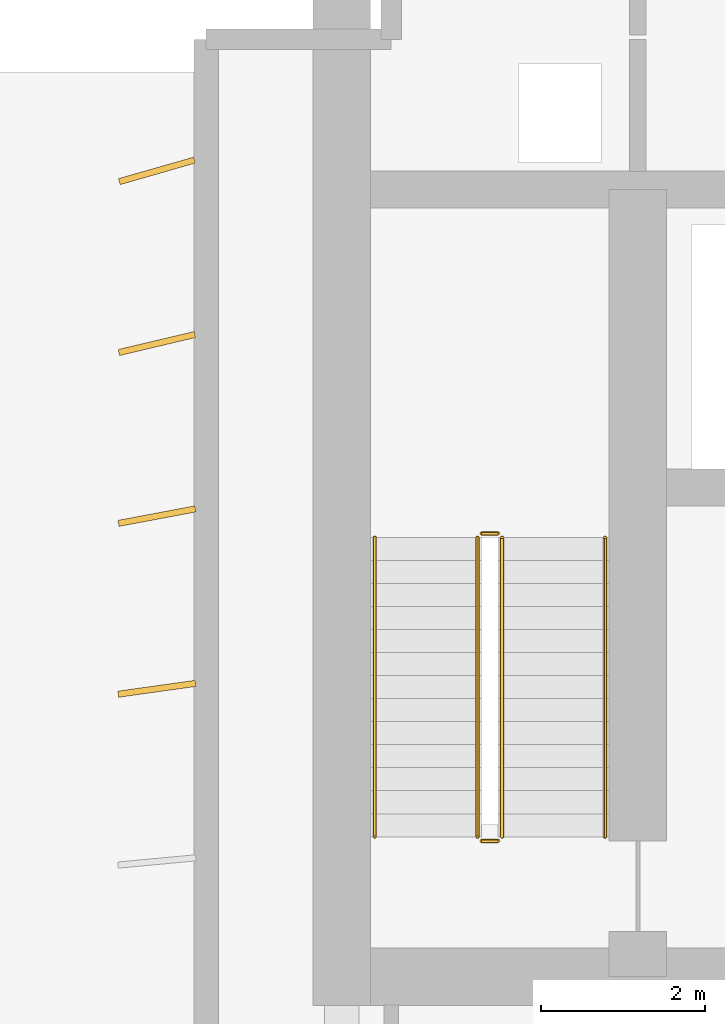
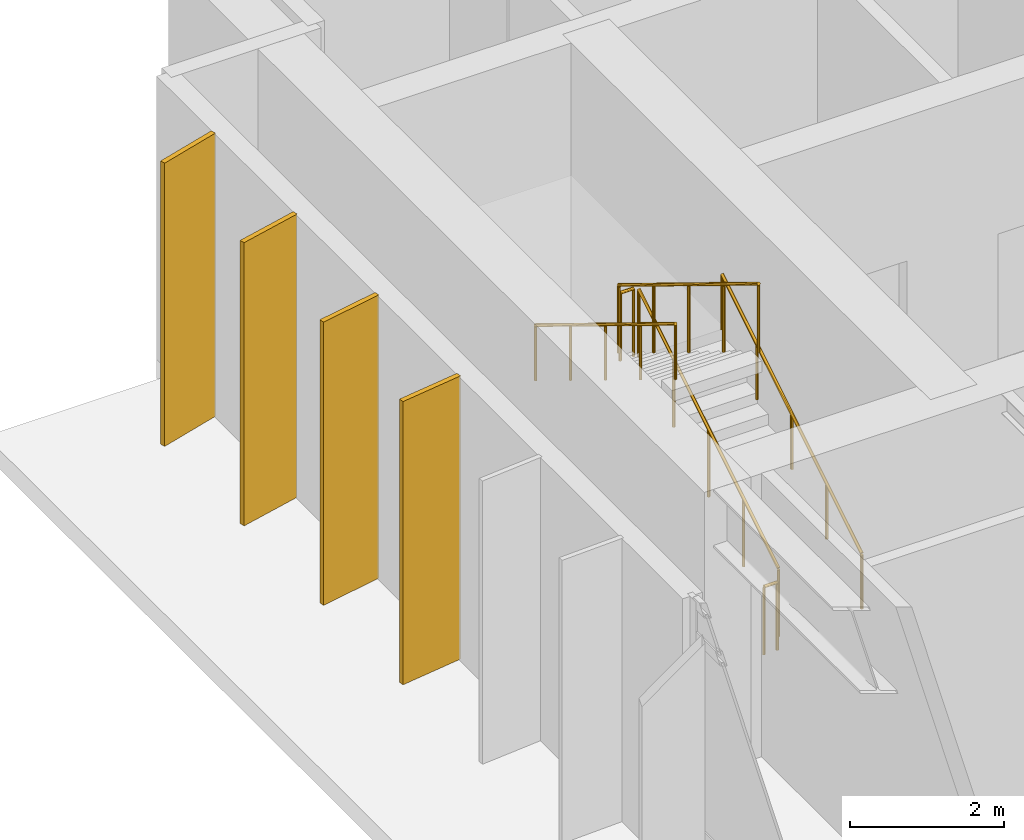
# One storey, part 9 of 10: 6 railings, 4 shading devices.
"""IFC4 building model written with IfcOpenShell, lengths in metres."""

from ifc_helpers import new_model, si_unit, direction, frame, origin, origin_2d, place, context, subcontext, project, spatial, rectangle, circle, extrude, material, material_profile, profile_set, type_object, element, save


model = new_model("IFC4")

# Units and contexts
model_context = context("Model", 3, precision=1e-05, world=origin(), true_north=direction((0.0, 1.0)))
body_context = subcontext(model_context, "Body", "Model", "MODEL_VIEW")
ifc_project = project(units=[si_unit("LENGTHUNIT", "METRE"), si_unit("AREAUNIT", "SQUARE_METRE"), si_unit("VOLUMEUNIT", "CUBIC_METRE"), si_unit("PLANEANGLEUNIT", "RADIAN"), si_unit("MASSUNIT", "GRAM", prefix="KILO")], contexts=[model_context])

# Site, building, storey
site_placement = place(None, origin())
site = spatial("IfcSite", under=ifc_project, at=site_placement, CompositionType="ELEMENT")
building_placement = place(site_placement, origin())
building = spatial("IfcBuilding", under=site, at=building_placement, Name="Caelmar Bay Residences", CompositionType="ELEMENT")
storey_placement = place(building_placement, frame((0.0, 0.0, 295.60009765625)))
storey = spatial("IfcBuildingStorey", under=building, at=storey_placement, Name="L81", CompositionType="ELEMENT", Elevation=295.60009765625)

# Railings
ifc_material_1 = material(Name="Painted galvanized steel stair guard 1100 mm", Category="steel")
railing_type_1 = type_object("IfcRailingType", Name="RL-GRD-1100", PredefinedType="GUARDRAIL", material=ifc_material_1)
railing_1_placement = place(storey_placement, frame((20.25, 38.699951171875, 0.17138671875)))
element("IfcRailing", 1, at=railing_1_placement, inside=storey, type_object=railing_type_1, Name="L81 ST1 stair guard 1", PredefinedType="GUARDRAIL", context=body_context, shape_type="SweptSolid", body=[
    extrude(circle(Radius=0.02392578125, at=origin_2d()), frame((0.0, 0.0, 1.076171875), z_axis=(0.0, 0.852865859571, 0.52213008492), x_axis=(-1.0, 0.0, 0.0)), (0.0, 0.0, 1.0), 4.26806640625),
    extrude(circle(Radius=0.02099609375, at=origin_2d()), origin(), (0.0, 0.0, 1.0), 1.052001953125),
    extrude(circle(Radius=0.02099609375, at=origin_2d()), frame((0.0, 0.91015625, 0.55712890625)), (0.0, 0.0, 1.0), 1.052001953125),
    extrude(circle(Radius=0.02099609375, at=origin_2d()), frame((0.0, 1.820068359375, 1.1142578125)), (0.0, 0.0, 1.0), 1.052001953125),
    extrude(circle(Radius=0.02099609375, at=origin_2d()), frame((0.0, 2.72998046875, 1.67138671875)), (0.0, 0.0, 1.0), 1.052001953125),
    extrude(circle(Radius=0.02099609375, at=origin_2d()), frame((0.0, 3.64013671875, 2.228515625)), (0.0, 0.0, 1.0), 1.052001953125),
])
railing_2_placement = place(storey_placement, frame((20.199951171875, 42.389892578125, 2.39990234375)))
element("IfcRailing", 2, at=railing_2_placement, inside=storey, type_object=railing_type_1, Name="L81 ST1 stair guard 2", PredefinedType="GUARDRAIL", context=body_context, shape_type="SweptSolid", body=[
    extrude(circle(Radius=0.02392578125, at=origin_2d()), frame((0.0, 0.0, 1.076171875), z_axis=(-1.0, 0.0, 0.0), x_axis=(0.0, -1.0, 0.0)), (0.0, 0.0, 1.0), 0.199951171875),
    extrude(circle(Radius=0.02099609375, at=origin_2d()), origin(), (0.0, 0.0, 1.0), 1.052001953125),
    extrude(circle(Radius=0.02099609375, at=origin_2d()), frame((-0.199951171875, 0.0, 0.0)), (0.0, 0.0, 1.0), 1.052001953125),
])
railing_3_placement = place(storey_placement, frame((19.949951171875, 42.340087890625, 2.5712890625)))
element("IfcRailing", 3, at=railing_3_placement, inside=storey, type_object=railing_type_1, Name="L81 ST1 stair guard 3", PredefinedType="GUARDRAIL", context=body_context, shape_type="SweptSolid", body=[
    extrude(circle(Radius=0.02392578125, at=origin_2d()), frame((0.0, 0.0, 1.076171875), z_axis=(0.0, -0.852865859571, 0.52213008492), x_axis=(1.0, 0.0, 0.0)), (0.0, 0.0, 1.0), 4.26806640625),
    extrude(circle(Radius=0.02099609375, at=origin_2d()), origin(), (0.0, 0.0, 1.0), 1.052001953125),
    extrude(circle(Radius=0.02099609375, at=origin_2d()), frame((0.0, -0.91015625, 0.55712890625)), (0.0, 0.0, 1.0), 1.052001953125),
    extrude(circle(Radius=0.02099609375, at=origin_2d()), frame((0.0, -1.820068359375, 1.1142578125)), (0.0, 0.0, 1.0), 1.052001953125),
    extrude(circle(Radius=0.02099609375, at=origin_2d()), frame((0.0, -2.72998046875, 1.67138671875)), (0.0, 0.0, 1.0), 1.052001953125),
    extrude(circle(Radius=0.02099609375, at=origin_2d()), frame((0.0, -3.64013671875, 2.228515625)), (0.0, 0.0, 1.0), 1.052001953125),
])
railing_4_placement = place(storey_placement, frame((20.199951171875, 38.64990234375, 0.0)))
element("IfcRailing", 4, at=railing_4_placement, inside=storey, type_object=railing_type_1, Name="L81 ST1 stair guard 4", PredefinedType="GUARDRAIL", context=body_context, shape_type="SweptSolid", body=[
    extrude(circle(Radius=0.02392578125, at=origin_2d()), frame((0.0, 0.0, 1.076171875), z_axis=(-1.0, 0.0, 0.0), x_axis=(0.0, -1.0, 0.0)), (0.0, 0.0, 1.0), 0.199951171875),
    extrude(circle(Radius=0.02099609375, at=origin_2d()), origin(), (0.0, 0.0, 1.0), 1.052001953125),
    extrude(circle(Radius=0.02099609375, at=origin_2d()), frame((-0.199951171875, 0.0, 0.0)), (0.0, 0.0, 1.0), 1.052001953125),
])
ifc_material_2 = material(Name="Brushed bronze stainless-steel tubular handrail 900 mm", Category="steel")
railing_type_2 = type_object("IfcRailingType", Name="RL-HND-900", PredefinedType="HANDRAIL", material=ifc_material_2)
railing_5_placement = place(storey_placement, frame((21.5, 38.699951171875, 0.17138671875)))
element("IfcRailing", 5, at=railing_5_placement, inside=storey, type_object=railing_type_2, Name="L81 ST1 stair handrail 1", PredefinedType="HANDRAIL", context=body_context, shape_type="SweptSolid", body=[
    extrude(circle(Radius=0.02392578125, at=origin_2d()), frame((0.0, 0.0, 0.8759765625), z_axis=(0.0, 0.852865859571, 0.52213008492), x_axis=(-1.0, 0.0, 0.0)), (0.0, 0.0, 1.0), 4.26806640625),
    extrude(circle(Radius=0.02099609375, at=origin_2d()), origin(), (0.0, 0.0, 1.0), 0.851806640625),
    extrude(circle(Radius=0.02099609375, at=origin_2d()), frame((0.0, 0.91015625, 0.55712890625)), (0.0, 0.0, 1.0), 0.851806640625),
    extrude(circle(Radius=0.02099609375, at=origin_2d()), frame((0.0, 1.820068359375, 1.1142578125)), (0.0, 0.0, 1.0), 0.851806640625),
    extrude(circle(Radius=0.02099609375, at=origin_2d()), frame((0.0, 2.72998046875, 1.67138671875)), (0.0, 0.0, 1.0), 0.851806640625),
    extrude(circle(Radius=0.02099609375, at=origin_2d()), frame((0.0, 3.64013671875, 2.228515625)), (0.0, 0.0, 1.0), 0.851806640625),
])
railing_6_placement = place(storey_placement, frame((18.699951171875, 42.340087890625, 2.5712890625)))
element("IfcRailing", 6, at=railing_6_placement, inside=storey, type_object=railing_type_2, Name="L81 ST1 stair handrail 2", PredefinedType="HANDRAIL", context=body_context, shape_type="SweptSolid", body=[
    extrude(circle(Radius=0.02392578125, at=origin_2d()), frame((0.0, 0.0, 0.8759765625), z_axis=(0.0, -0.852865859571, 0.52213008492), x_axis=(1.0, 0.0, 0.0)), (0.0, 0.0, 1.0), 4.26806640625),
    extrude(circle(Radius=0.02099609375, at=origin_2d()), origin(), (0.0, 0.0, 1.0), 0.851806640625),
    extrude(circle(Radius=0.02099609375, at=origin_2d()), frame((0.0, -0.91015625, 0.55712890625)), (0.0, 0.0, 1.0), 0.851806640625),
    extrude(circle(Radius=0.02099609375, at=origin_2d()), frame((0.0, -1.820068359375, 1.1142578125)), (0.0, 0.0, 1.0), 0.851806640625),
    extrude(circle(Radius=0.02099609375, at=origin_2d()), frame((0.0, -2.72998046875, 1.67138671875)), (0.0, 0.0, 1.0), 0.851806640625),
    extrude(circle(Radius=0.02099609375, at=origin_2d()), frame((0.0, -3.64013671875, 2.228515625)), (0.0, 0.0, 1.0), 0.851806640625),
])

# Shading devices
ifc_material_3 = material(Name="Anodised architectural bronze aluminium 6063-T6", Category="aluminium")
ifc_material_profile = material_profile(ifc_material_3, rectangle(XDim=0.074951171875, YDim=0.949951171875, at=origin_2d()), Name="BRONZE-FIN-75X950")
ifc_profile_set = profile_set([ifc_material_profile], Name="Anodised architectural bronze aluminium 6063-T6")
shading_device_type = type_object("IfcShadingDeviceType", Name="SHD-FIN-950", PredefinedType="USERDEFINED", material=ifc_profile_set)
for number, where, z_axis, x_axis, name in (
    (7, (16.050048828125, 40.5, 0.0), (0.0, 0.0, 1.0), (-0.13917310096, 0.990268068742, 0.0), "L81 West Bronze Solar Fin 10"),
    (8, (16.050048828125, 42.60009765625, 0.0), (0.0, 0.0, 1.0), (-0.185152095101, 0.982709876657, 0.0), "L81 West Bronze Solar Fin 11"),
    (9, (16.050048828125, 44.699951171875, 0.0), (0.0, 0.0, 1.0), (-0.230559260896, 0.973058285621, 0.0), "L81 West Bronze Solar Fin 12"),
    (10, (16.050048828125, 46.800048828125, 0.0), (0.0, 0.0, 1.0), (-0.275637355817, 0.961261695938, 0.0), "L81 West Bronze Solar Fin 13"),
):
    element("IfcShadingDevice", number, at=place(storey_placement, frame(where, z_axis=z_axis, x_axis=x_axis)), inside=storey, type_object=shading_device_type, Name=name, ObjectType="FIN", PredefinedType="USERDEFINED", context=body_context, shape_type="SweptSolid", body=[
        extrude(rectangle(XDim=0.074951171875, YDim=0.949951171875, at=origin_2d()), origin(), (0.0, 0.0, 1.0), 4.5),
    ])

save(model, "model.ifc")
